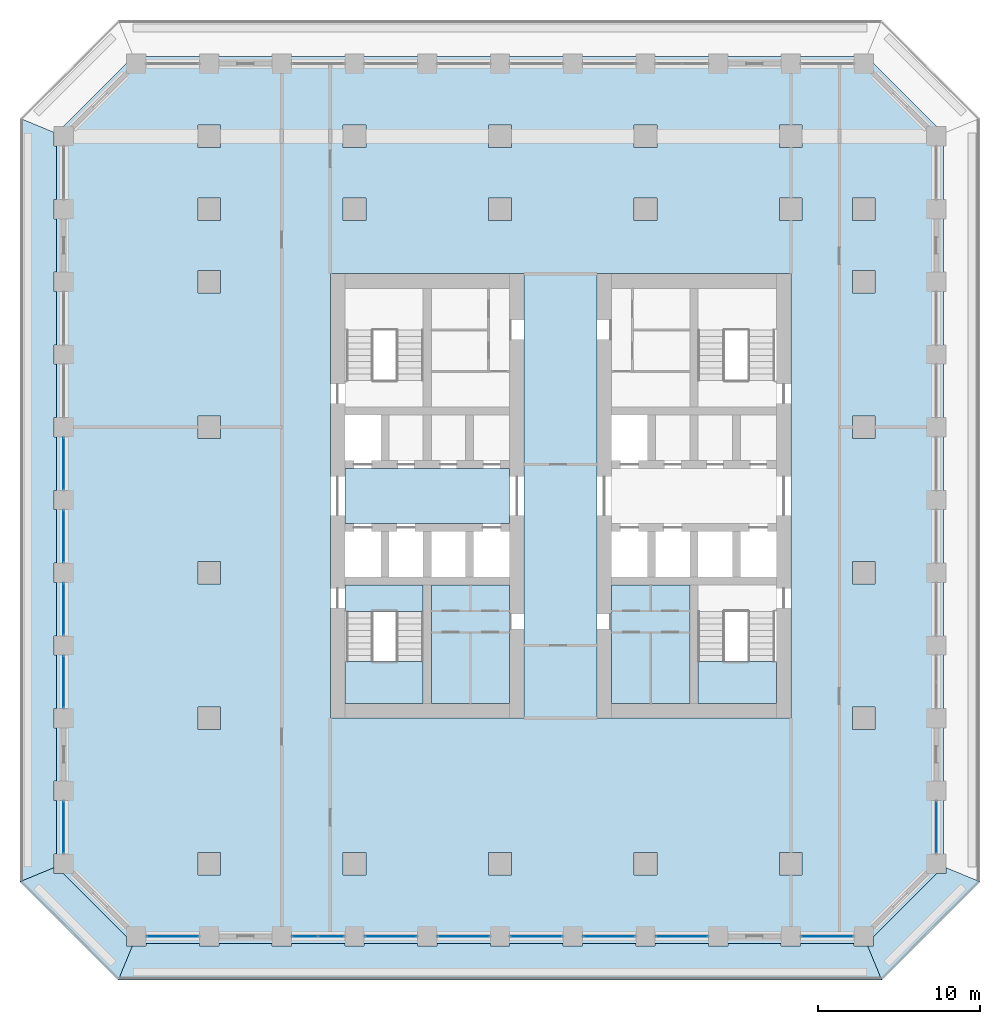
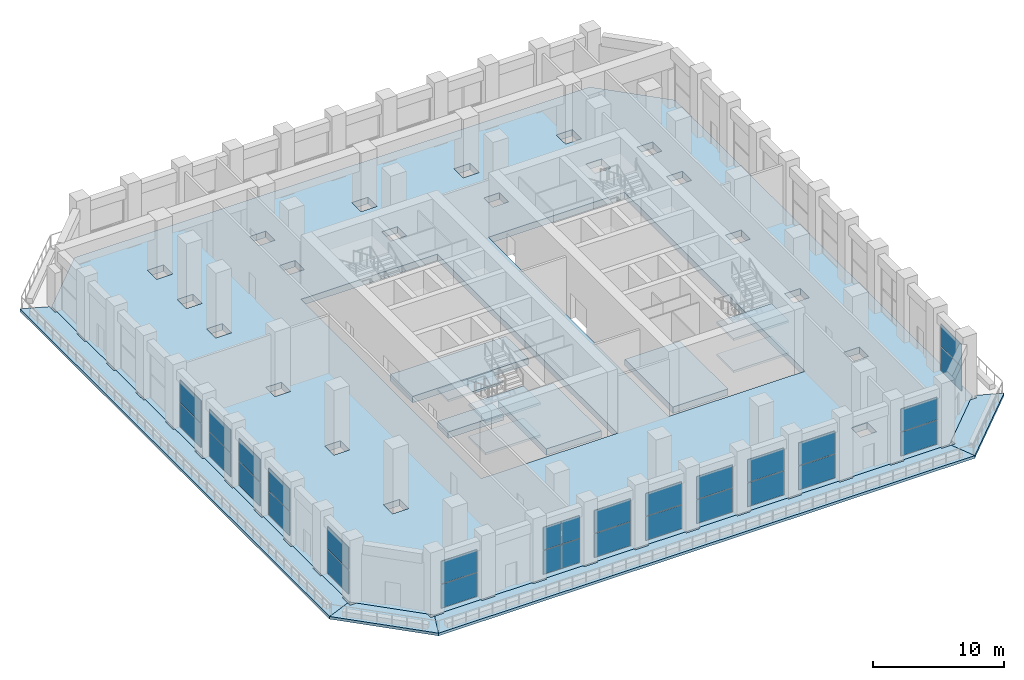
# One storey, part 10 of 24: 30 plates, 14 slabs, 16 elements without a shape of their own.
"""IFC4 building model written with IfcOpenShell, lengths in metres."""

from ifc_helpers import new_model, si_unit, direction, frame, origin, origin_2d, place, context, subcontext, project, spatial, polyline, rectangle, outline, extrude, material, layer, layer_set, type_object, element, aggregate, save


model = new_model("IFC4")

# Units and contexts
model_context = context("Model", 3, precision=1e-05, world=origin(), true_north=direction((0.0, 1.0)))
body_context = subcontext(model_context, "Body", "Model", "MODEL_VIEW")
ifc_project = project(units=[si_unit("LENGTHUNIT", "METRE"), si_unit("AREAUNIT", "SQUARE_METRE"), si_unit("VOLUMEUNIT", "CUBIC_METRE"), si_unit("PLANEANGLEUNIT", "RADIAN"), si_unit("MASSUNIT", "GRAM", prefix="KILO")], contexts=[model_context])

# Site, building, storey
site_placement = place(None, origin())
site = spatial("IfcSite", under=ifc_project, at=site_placement, CompositionType="ELEMENT")
building_placement = place(site_placement, origin())
building = spatial("IfcBuilding", under=site, at=building_placement, Name="Corbel Stack Research Tower", CompositionType="ELEMENT")
storey_placement = place(building_placement, frame((0.0, 0.0, 145.39990234375)))
storey = spatial("IfcBuildingStorey", under=building, at=storey_placement, Name="L33", CompositionType="ELEMENT", Elevation=145.39990234375)

# Curtain wall, plates
ifc_material_1 = material(Name="Aluminium frame, clear glass", Category="aluminium")
curtain_wall_type = type_object("IfcCurtainWallType", Name="Amenity floor curtain wall CW2", PredefinedType="NOTDEFINED", material=ifc_material_1)
curtain_wall_1_placement = place(storey_placement, origin())
curtain_wall_1 = element("IfcCurtainWall", 1, at=curtain_wall_1_placement, inside=storey, type_object=curtain_wall_type, Name="Curtain wall CW2 L33 S01", PredefinedType="NOTDEFINED")
ifc_material_2 = material(Name="Clear glass", Category="glass")
ifc_layer_1 = layer(ifc_material_2, 0.028076171875)
ifc_layer_set_1 = layer_set([ifc_layer_1], Name="Clear glass")
plate_type = type_object("IfcPlateType", Name="Clear glazing 28", PredefinedType="CURTAIN_PANEL", material=ifc_layer_set_1)
plate_1_placement = place(storey_placement, frame((-20.25, -22.5, 0.06005859375), z_axis=(0.0, 0.0, 1.0), x_axis=(1.0, 0.0, 0.0)))
plate_1 = element("IfcPlate", 2, at=plate_1_placement, type_object=plate_type, Name="CW2 L33 S01 panel 1.1", PredefinedType="CURTAIN_PANEL", context=body_context, shape_type="SweptSolid", body=[
    extrude(rectangle(XDim=3.179931640625, YDim=0.028076171875, at=origin_2d()), origin(), (0.0, 0.0, 1.0), 2.2099609375),
])
plate_2_placement = place(storey_placement, frame((-20.25, -22.5, 2.330078125), z_axis=(0.0, 0.0, 1.0), x_axis=(1.0, 0.0, 0.0)))
plate_2 = element("IfcPlate", 3, at=plate_2_placement, type_object=plate_type, Name="CW2 L33 S01 panel 1.2", PredefinedType="CURTAIN_PANEL", context=body_context, shape_type="SweptSolid", body=[
    extrude(rectangle(XDim=3.179931640625, YDim=0.028076171875, at=origin_2d()), origin(), (0.0, 0.0, 1.0), 2.110107421875),
])
aggregate(curtain_wall_1, [plate_1, plate_2])

curtain_wall_2_placement = place(storey_placement, origin())
curtain_wall_2 = element("IfcCurtainWall", 4, at=curtain_wall_2_placement, inside=storey, type_object=curtain_wall_type, Name="Curtain wall CW2 L33 S03", PredefinedType="NOTDEFINED")
plate_3_placement = place(storey_placement, frame((-12.06005859375, -22.5, 0.06005859375), z_axis=(0.0, 0.0, 1.0), x_axis=(1.0, 0.0, 0.0)))
plate_3 = element("IfcPlate", 5, at=plate_3_placement, type_object=plate_type, Name="CW2 L33 S03 panel 1.1", PredefinedType="CURTAIN_PANEL", context=body_context, shape_type="SweptSolid", body=[
    extrude(rectangle(XDim=1.56005859375, YDim=0.028076171875, at=origin_2d()), origin(), (0.0, 0.0, 1.0), 2.2099609375),
])
plate_4_placement = place(storey_placement, frame((-12.06005859375, -22.5, 2.330078125), z_axis=(0.0, 0.0, 1.0), x_axis=(1.0, 0.0, 0.0)))
plate_4 = element("IfcPlate", 6, at=plate_4_placement, type_object=plate_type, Name="CW2 L33 S03 panel 1.2", PredefinedType="CURTAIN_PANEL", context=body_context, shape_type="SweptSolid", body=[
    extrude(rectangle(XDim=1.56005859375, YDim=0.028076171875, at=origin_2d()), origin(), (0.0, 0.0, 1.0), 2.110107421875),
])
plate_5_placement = place(storey_placement, frame((-10.43994140625, -22.5, 0.06005859375), z_axis=(0.0, 0.0, 1.0), x_axis=(1.0, 0.0, 0.0)))
plate_5 = element("IfcPlate", 7, at=plate_5_placement, type_object=plate_type, Name="CW2 L33 S03 panel 2.1", PredefinedType="CURTAIN_PANEL", context=body_context, shape_type="SweptSolid", body=[
    extrude(rectangle(XDim=1.56005859375, YDim=0.028076171875, at=origin_2d()), origin(), (0.0, 0.0, 1.0), 2.2099609375),
])
plate_6_placement = place(storey_placement, frame((-10.43994140625, -22.5, 2.330078125), z_axis=(0.0, 0.0, 1.0), x_axis=(1.0, 0.0, 0.0)))
plate_6 = element("IfcPlate", 8, at=plate_6_placement, type_object=plate_type, Name="CW2 L33 S03 panel 2.2", PredefinedType="CURTAIN_PANEL", context=body_context, shape_type="SweptSolid", body=[
    extrude(rectangle(XDim=1.56005859375, YDim=0.028076171875, at=origin_2d()), origin(), (0.0, 0.0, 1.0), 2.110107421875),
])
aggregate(curtain_wall_2, [plate_3, plate_4, plate_5, plate_6])

curtain_wall_3_placement = place(storey_placement, origin())
curtain_wall_3 = element("IfcCurtainWall", 9, at=curtain_wall_3_placement, inside=storey, type_object=curtain_wall_type, Name="Curtain wall CW2 L33 S04", PredefinedType="NOTDEFINED")
plate_7_placement = place(storey_placement, frame((-6.75, -22.5, 0.06005859375), z_axis=(0.0, 0.0, 1.0), x_axis=(1.0, 0.0, 0.0)))
plate_7 = element("IfcPlate", 10, at=plate_7_placement, type_object=plate_type, Name="CW2 L33 S04 panel 1.1", PredefinedType="CURTAIN_PANEL", context=body_context, shape_type="SweptSolid", body=[
    extrude(rectangle(XDim=3.179931640625, YDim=0.028076171875, at=origin_2d()), origin(), (0.0, 0.0, 1.0), 2.2099609375),
])
plate_8_placement = place(storey_placement, frame((-6.75, -22.5, 2.330078125), z_axis=(0.0, 0.0, 1.0), x_axis=(1.0, 0.0, 0.0)))
plate_8 = element("IfcPlate", 11, at=plate_8_placement, type_object=plate_type, Name="CW2 L33 S04 panel 1.2", PredefinedType="CURTAIN_PANEL", context=body_context, shape_type="SweptSolid", body=[
    extrude(rectangle(XDim=3.179931640625, YDim=0.028076171875, at=origin_2d()), origin(), (0.0, 0.0, 1.0), 2.110107421875),
])
aggregate(curtain_wall_3, [plate_7, plate_8])

curtain_wall_4_placement = place(storey_placement, origin())
curtain_wall_4 = element("IfcCurtainWall", 12, at=curtain_wall_4_placement, inside=storey, type_object=curtain_wall_type, Name="Curtain wall CW2 L33 S05", PredefinedType="NOTDEFINED")
plate_9_placement = place(storey_placement, frame((-2.25, -22.5, 0.06005859375), z_axis=(0.0, 0.0, 1.0), x_axis=(1.0, 0.0, 0.0)))
plate_9 = element("IfcPlate", 13, at=plate_9_placement, type_object=plate_type, Name="CW2 L33 S05 panel 1.1", PredefinedType="CURTAIN_PANEL", context=body_context, shape_type="SweptSolid", body=[
    extrude(rectangle(XDim=3.179931640625, YDim=0.028076171875, at=origin_2d()), origin(), (0.0, 0.0, 1.0), 2.2099609375),
])
plate_10_placement = place(storey_placement, frame((-2.25, -22.5, 2.330078125), z_axis=(0.0, 0.0, 1.0), x_axis=(1.0, 0.0, 0.0)))
plate_10 = element("IfcPlate", 14, at=plate_10_placement, type_object=plate_type, Name="CW2 L33 S05 panel 1.2", PredefinedType="CURTAIN_PANEL", context=body_context, shape_type="SweptSolid", body=[
    extrude(rectangle(XDim=3.179931640625, YDim=0.028076171875, at=origin_2d()), origin(), (0.0, 0.0, 1.0), 2.110107421875),
])
aggregate(curtain_wall_4, [plate_9, plate_10])

curtain_wall_5_placement = place(storey_placement, origin())
curtain_wall_5 = element("IfcCurtainWall", 15, at=curtain_wall_5_placement, inside=storey, type_object=curtain_wall_type, Name="Curtain wall CW2 L33 S06", PredefinedType="NOTDEFINED")
plate_11_placement = place(storey_placement, frame((2.25, -22.5, 0.06005859375), z_axis=(0.0, 0.0, 1.0), x_axis=(1.0, 0.0, 0.0)))
plate_11 = element("IfcPlate", 16, at=plate_11_placement, type_object=plate_type, Name="CW2 L33 S06 panel 1.1", PredefinedType="CURTAIN_PANEL", context=body_context, shape_type="SweptSolid", body=[
    extrude(rectangle(XDim=3.179931640625, YDim=0.028076171875, at=origin_2d()), origin(), (0.0, 0.0, 1.0), 2.2099609375),
])
plate_12_placement = place(storey_placement, frame((2.25, -22.5, 2.330078125), z_axis=(0.0, 0.0, 1.0), x_axis=(1.0, 0.0, 0.0)))
plate_12 = element("IfcPlate", 17, at=plate_12_placement, type_object=plate_type, Name="CW2 L33 S06 panel 1.2", PredefinedType="CURTAIN_PANEL", context=body_context, shape_type="SweptSolid", body=[
    extrude(rectangle(XDim=3.179931640625, YDim=0.028076171875, at=origin_2d()), origin(), (0.0, 0.0, 1.0), 2.110107421875),
])
aggregate(curtain_wall_5, [plate_11, plate_12])

curtain_wall_6_placement = place(storey_placement, origin())
curtain_wall_6 = element("IfcCurtainWall", 18, at=curtain_wall_6_placement, inside=storey, type_object=curtain_wall_type, Name="Curtain wall CW2 L33 S07", PredefinedType="NOTDEFINED")
plate_13_placement = place(storey_placement, frame((6.75, -22.5, 0.06005859375), z_axis=(0.0, 0.0, 1.0), x_axis=(1.0, 0.0, 0.0)))
plate_13 = element("IfcPlate", 19, at=plate_13_placement, type_object=plate_type, Name="CW2 L33 S07 panel 1.1", PredefinedType="CURTAIN_PANEL", context=body_context, shape_type="SweptSolid", body=[
    extrude(rectangle(XDim=3.179931640625, YDim=0.028076171875, at=origin_2d()), origin(), (0.0, 0.0, 1.0), 2.2099609375),
])
plate_14_placement = place(storey_placement, frame((6.75, -22.5, 2.330078125), z_axis=(0.0, 0.0, 1.0), x_axis=(1.0, 0.0, 0.0)))
plate_14 = element("IfcPlate", 20, at=plate_14_placement, type_object=plate_type, Name="CW2 L33 S07 panel 1.2", PredefinedType="CURTAIN_PANEL", context=body_context, shape_type="SweptSolid", body=[
    extrude(rectangle(XDim=3.179931640625, YDim=0.028076171875, at=origin_2d()), origin(), (0.0, 0.0, 1.0), 2.110107421875),
])
aggregate(curtain_wall_6, [plate_13, plate_14])

curtain_wall_7_placement = place(storey_placement, origin())
curtain_wall_7 = element("IfcCurtainWall", 21, at=curtain_wall_7_placement, inside=storey, type_object=curtain_wall_type, Name="Curtain wall CW2 L33 S08", PredefinedType="NOTDEFINED")
plate_15_placement = place(storey_placement, frame((11.25, -22.5, 0.06005859375), z_axis=(0.0, 0.0, 1.0), x_axis=(1.0, 0.0, 0.0)))
plate_15 = element("IfcPlate", 22, at=plate_15_placement, type_object=plate_type, Name="CW2 L33 S08 panel 1.1", PredefinedType="CURTAIN_PANEL", context=body_context, shape_type="SweptSolid", body=[
    extrude(rectangle(XDim=3.179931640625, YDim=0.028076171875, at=origin_2d()), origin(), (0.0, 0.0, 1.0), 2.2099609375),
])
plate_16_placement = place(storey_placement, frame((11.25, -22.5, 2.330078125), z_axis=(0.0, 0.0, 1.0), x_axis=(1.0, 0.0, 0.0)))
plate_16 = element("IfcPlate", 23, at=plate_16_placement, type_object=plate_type, Name="CW2 L33 S08 panel 1.2", PredefinedType="CURTAIN_PANEL", context=body_context, shape_type="SweptSolid", body=[
    extrude(rectangle(XDim=3.179931640625, YDim=0.028076171875, at=origin_2d()), origin(), (0.0, 0.0, 1.0), 2.110107421875),
])
aggregate(curtain_wall_7, [plate_15, plate_16])

curtain_wall_8_placement = place(storey_placement, origin())
curtain_wall_8 = element("IfcCurtainWall", 24, at=curtain_wall_8_placement, inside=storey, type_object=curtain_wall_type, Name="Curtain wall CW2 L33 S10", PredefinedType="NOTDEFINED")
plate_17_placement = place(storey_placement, frame((20.25, -22.5, 0.06005859375), z_axis=(0.0, 0.0, 1.0), x_axis=(1.0, 0.0, 0.0)))
plate_17 = element("IfcPlate", 25, at=plate_17_placement, type_object=plate_type, Name="CW2 L33 S10 panel 1.1", PredefinedType="CURTAIN_PANEL", context=body_context, shape_type="SweptSolid", body=[
    extrude(rectangle(XDim=3.179931640625, YDim=0.028076171875, at=origin_2d()), origin(), (0.0, 0.0, 1.0), 2.2099609375),
])
plate_18_placement = place(storey_placement, frame((20.25, -22.5, 2.330078125), z_axis=(0.0, 0.0, 1.0), x_axis=(1.0, 0.0, 0.0)))
plate_18 = element("IfcPlate", 26, at=plate_18_placement, type_object=plate_type, Name="CW2 L33 S10 panel 1.2", PredefinedType="CURTAIN_PANEL", context=body_context, shape_type="SweptSolid", body=[
    extrude(rectangle(XDim=3.179931640625, YDim=0.028076171875, at=origin_2d()), origin(), (0.0, 0.0, 1.0), 2.110107421875),
])
aggregate(curtain_wall_8, [plate_17, plate_18])

curtain_wall_9_placement = place(storey_placement, origin())
curtain_wall_9 = element("IfcCurtainWall", 27, at=curtain_wall_9_placement, inside=storey, type_object=curtain_wall_type, Name="Curtain wall CW2 L33 E01", PredefinedType="NOTDEFINED")
plate_19_placement = place(storey_placement, frame((27.0, -15.75, 0.06005859375), z_axis=(0.0, 0.0, 1.0), x_axis=(0.0, 1.0, 0.0)))
plate_19 = element("IfcPlate", 28, at=plate_19_placement, type_object=plate_type, Name="CW2 L33 E01 panel 1.1", PredefinedType="CURTAIN_PANEL", context=body_context, shape_type="SweptSolid", body=[
    extrude(rectangle(XDim=3.179931640625, YDim=0.028076171875, at=origin_2d()), origin(), (0.0, 0.0, 1.0), 2.2099609375),
])
plate_20_placement = place(storey_placement, frame((27.0, -15.75, 2.330078125), z_axis=(0.0, 0.0, 1.0), x_axis=(0.0, 1.0, 0.0)))
plate_20 = element("IfcPlate", 29, at=plate_20_placement, type_object=plate_type, Name="CW2 L33 E01 panel 1.2", PredefinedType="CURTAIN_PANEL", context=body_context, shape_type="SweptSolid", body=[
    extrude(rectangle(XDim=3.179931640625, YDim=0.028076171875, at=origin_2d()), origin(), (0.0, 0.0, 1.0), 2.110107421875),
])
aggregate(curtain_wall_9, [plate_19, plate_20])

curtain_wall_10_placement = place(storey_placement, origin())
curtain_wall_10 = element("IfcCurtainWall", 30, at=curtain_wall_10_placement, inside=storey, type_object=curtain_wall_type, Name="Curtain wall CW2 L33 W05", PredefinedType="NOTDEFINED")
plate_21_placement = place(storey_placement, frame((-27.0, 6.75, 0.06005859375), z_axis=(0.0, 0.0, 1.0), x_axis=(0.0, -1.0, 0.0)))
plate_21 = element("IfcPlate", 31, at=plate_21_placement, type_object=plate_type, Name="CW2 L33 W05 panel 1.1", PredefinedType="CURTAIN_PANEL", context=body_context, shape_type="SweptSolid", body=[
    extrude(rectangle(XDim=3.179931640625, YDim=0.028076171875, at=origin_2d()), origin(), (0.0, 0.0, 1.0), 2.2099609375),
])
plate_22_placement = place(storey_placement, frame((-27.0, 6.75, 2.330078125), z_axis=(0.0, 0.0, 1.0), x_axis=(0.0, -1.0, 0.0)))
plate_22 = element("IfcPlate", 32, at=plate_22_placement, type_object=plate_type, Name="CW2 L33 W05 panel 1.2", PredefinedType="CURTAIN_PANEL", context=body_context, shape_type="SweptSolid", body=[
    extrude(rectangle(XDim=3.179931640625, YDim=0.028076171875, at=origin_2d()), origin(), (0.0, 0.0, 1.0), 2.110107421875),
])
aggregate(curtain_wall_10, [plate_21, plate_22])

curtain_wall_11_placement = place(storey_placement, origin())
curtain_wall_11 = element("IfcCurtainWall", 33, at=curtain_wall_11_placement, inside=storey, type_object=curtain_wall_type, Name="Curtain wall CW2 L33 W06", PredefinedType="NOTDEFINED")
plate_23_placement = place(storey_placement, frame((-27.0, 2.25, 0.06005859375), z_axis=(0.0, 0.0, 1.0), x_axis=(0.0, -1.0, 0.0)))
plate_23 = element("IfcPlate", 34, at=plate_23_placement, type_object=plate_type, Name="CW2 L33 W06 panel 1.1", PredefinedType="CURTAIN_PANEL", context=body_context, shape_type="SweptSolid", body=[
    extrude(rectangle(XDim=3.179931640625, YDim=0.028076171875, at=origin_2d()), origin(), (0.0, 0.0, 1.0), 2.2099609375),
])
plate_24_placement = place(storey_placement, frame((-27.0, 2.25, 2.330078125), z_axis=(0.0, 0.0, 1.0), x_axis=(0.0, -1.0, 0.0)))
plate_24 = element("IfcPlate", 35, at=plate_24_placement, type_object=plate_type, Name="CW2 L33 W06 panel 1.2", PredefinedType="CURTAIN_PANEL", context=body_context, shape_type="SweptSolid", body=[
    extrude(rectangle(XDim=3.179931640625, YDim=0.028076171875, at=origin_2d()), origin(), (0.0, 0.0, 1.0), 2.110107421875),
])
aggregate(curtain_wall_11, [plate_23, plate_24])

curtain_wall_12_placement = place(storey_placement, origin())
curtain_wall_12 = element("IfcCurtainWall", 36, at=curtain_wall_12_placement, inside=storey, type_object=curtain_wall_type, Name="Curtain wall CW2 L33 W07", PredefinedType="NOTDEFINED")
plate_25_placement = place(storey_placement, frame((-27.0, -2.25, 0.06005859375), z_axis=(0.0, 0.0, 1.0), x_axis=(0.0, -1.0, 0.0)))
plate_25 = element("IfcPlate", 37, at=plate_25_placement, type_object=plate_type, Name="CW2 L33 W07 panel 1.1", PredefinedType="CURTAIN_PANEL", context=body_context, shape_type="SweptSolid", body=[
    extrude(rectangle(XDim=3.179931640625, YDim=0.028076171875, at=origin_2d()), origin(), (0.0, 0.0, 1.0), 2.2099609375),
])
plate_26_placement = place(storey_placement, frame((-27.0, -2.25, 2.330078125), z_axis=(0.0, 0.0, 1.0), x_axis=(0.0, -1.0, 0.0)))
plate_26 = element("IfcPlate", 38, at=plate_26_placement, type_object=plate_type, Name="CW2 L33 W07 panel 1.2", PredefinedType="CURTAIN_PANEL", context=body_context, shape_type="SweptSolid", body=[
    extrude(rectangle(XDim=3.179931640625, YDim=0.028076171875, at=origin_2d()), origin(), (0.0, 0.0, 1.0), 2.110107421875),
])
aggregate(curtain_wall_12, [plate_25, plate_26])

curtain_wall_13_placement = place(storey_placement, origin())
curtain_wall_13 = element("IfcCurtainWall", 39, at=curtain_wall_13_placement, inside=storey, type_object=curtain_wall_type, Name="Curtain wall CW2 L33 W08", PredefinedType="NOTDEFINED")
plate_27_placement = place(storey_placement, frame((-27.0, -6.75, 0.06005859375), z_axis=(0.0, 0.0, 1.0), x_axis=(0.0, -1.0, 0.0)))
plate_27 = element("IfcPlate", 40, at=plate_27_placement, type_object=plate_type, Name="CW2 L33 W08 panel 1.1", PredefinedType="CURTAIN_PANEL", context=body_context, shape_type="SweptSolid", body=[
    extrude(rectangle(XDim=3.179931640625, YDim=0.028076171875, at=origin_2d()), origin(), (0.0, 0.0, 1.0), 2.2099609375),
])
plate_28_placement = place(storey_placement, frame((-27.0, -6.75, 2.330078125), z_axis=(0.0, 0.0, 1.0), x_axis=(0.0, -1.0, 0.0)))
plate_28 = element("IfcPlate", 41, at=plate_28_placement, type_object=plate_type, Name="CW2 L33 W08 panel 1.2", PredefinedType="CURTAIN_PANEL", context=body_context, shape_type="SweptSolid", body=[
    extrude(rectangle(XDim=3.179931640625, YDim=0.028076171875, at=origin_2d()), origin(), (0.0, 0.0, 1.0), 2.110107421875),
])
aggregate(curtain_wall_13, [plate_27, plate_28])

curtain_wall_14_placement = place(storey_placement, origin())
curtain_wall_14 = element("IfcCurtainWall", 42, at=curtain_wall_14_placement, inside=storey, type_object=curtain_wall_type, Name="Curtain wall CW2 L33 W10", PredefinedType="NOTDEFINED")
plate_29_placement = place(storey_placement, frame((-27.0, -15.75, 0.06005859375), z_axis=(0.0, 0.0, 1.0), x_axis=(0.0, -1.0, 0.0)))
plate_29 = element("IfcPlate", 43, at=plate_29_placement, type_object=plate_type, Name="CW2 L33 W10 panel 1.1", PredefinedType="CURTAIN_PANEL", context=body_context, shape_type="SweptSolid", body=[
    extrude(rectangle(XDim=3.179931640625, YDim=0.028076171875, at=origin_2d()), origin(), (0.0, 0.0, 1.0), 2.2099609375),
])
plate_30_placement = place(storey_placement, frame((-27.0, -15.75, 2.330078125), z_axis=(0.0, 0.0, 1.0), x_axis=(0.0, -1.0, 0.0)))
plate_30 = element("IfcPlate", 44, at=plate_30_placement, type_object=plate_type, Name="CW2 L33 W10 panel 1.2", PredefinedType="CURTAIN_PANEL", context=body_context, shape_type="SweptSolid", body=[
    extrude(rectangle(XDim=3.179931640625, YDim=0.028076171875, at=origin_2d()), origin(), (0.0, 0.0, 1.0), 2.110107421875),
])
aggregate(curtain_wall_14, [plate_29, plate_30])

# Slabs
ifc_material_3 = material(Name="Concrete C45/55", Category="concrete")
ifc_layer_2 = layer(ifc_material_3, 0.25)
ifc_layer_set_2 = layer_set([ifc_layer_2], Name="Concrete C45/55")
slab_type_1 = type_object("IfcSlabType", Name="PT balcony slab 250 C45/55", PredefinedType="FLOOR", material=ifc_layer_set_2)
slab_1_placement = place(storey_placement, frame((0.0, 0.0, -0.25)))
element("IfcSlab", 45, at=slab_1_placement, inside=storey, type_object=slab_type_1, Name="Loggia slab L33 S", PredefinedType="FLOOR", context=body_context, shape_type="SweptSolid", body=[
    extrude(outline(polyline([(22.74853515625, -23.10009765625), (21.89990234375, -23.10009765625), (21.89990234375, -22.949951171875), (18.60009765625, -22.949951171875), (18.60009765625, -23.10009765625), (17.39990234375, -23.10009765625), (17.39990234375, -22.949951171875), (14.10009765625, -22.949951171875), (14.10009765625, -23.10009765625), (12.89990234375, -23.10009765625), (12.89990234375, -22.949951171875), (9.60009765625, -22.949951171875), (9.60009765625, -23.10009765625), (8.39990234375, -23.10009765625), (8.39990234375, -22.949951171875), (5.10009765625, -22.949951171875), (5.10009765625, -23.10009765625), (3.89990234375, -23.10009765625), (3.89990234375, -22.949951171875), (0.60009765625, -22.949951171875), (0.60009765625, -23.10009765625), (-0.60009765625, -23.10009765625), (-0.60009765625, -22.949951171875), (-3.89990234375, -22.949951171875), (-3.89990234375, -23.10009765625), (-5.10009765625, -23.10009765625), (-5.10009765625, -22.949951171875), (-8.39990234375, -22.949951171875), (-8.39990234375, -23.10009765625), (-9.60009765625, -23.10009765625), (-9.60009765625, -22.949951171875), (-12.89990234375, -22.949951171875), (-12.89990234375, -23.10009765625), (-14.10009765625, -23.10009765625), (-14.10009765625, -22.949951171875), (-17.39990234375, -22.949951171875), (-17.39990234375, -23.10009765625), (-18.60009765625, -23.10009765625), (-18.60009765625, -22.949951171875), (-21.89990234375, -22.949951171875), (-21.89990234375, -23.10009765625), (-22.74853515625, -23.10009765625), (-23.618408203125, -25.199951171875), (23.618408203125, -25.199951171875), (22.74853515625, -23.10009765625)])), origin(), (0.0, 0.0, 1.0), 0.25),
])
slab_2_placement = place(storey_placement, frame((0.0, 0.0, -0.25)))
element("IfcSlab", 46, at=slab_2_placement, inside=storey, type_object=slab_type_1, Name="Loggia slab L33 SE", PredefinedType="FLOOR", context=body_context, shape_type="SweptSolid", body=[
    extrude(outline(polyline([(27.60009765625, -18.24853515625), (27.60009765625, -18.60009765625), (27.036376953125, -18.60009765625), (23.10009765625, -22.536376953125), (23.10009765625, -23.10009765625), (22.74853515625, -23.10009765625), (23.618408203125, -25.199951171875), (29.699951171875, -19.118408203125), (27.60009765625, -18.24853515625)])), origin(), (0.0, 0.0, 1.0), 0.25),
])
slab_3_placement = place(storey_placement, frame((0.0, 0.0, -0.25)))
element("IfcSlab", 47, at=slab_3_placement, inside=storey, type_object=slab_type_1, Name="Loggia slab L33 W", PredefinedType="FLOOR", context=body_context, shape_type="SweptSolid", body=[
    extrude(outline(polyline([(-27.60009765625, -18.24853515625), (-27.60009765625, -17.39990234375), (-27.449951171875, -17.39990234375), (-27.449951171875, -14.10009765625), (-27.60009765625, -14.10009765625), (-27.60009765625, -12.89990234375), (-27.449951171875, -12.89990234375), (-27.449951171875, -9.60009765625), (-27.60009765625, -9.60009765625), (-27.60009765625, -8.39990234375), (-27.449951171875, -8.39990234375), (-27.449951171875, -5.10009765625), (-27.60009765625, -5.10009765625), (-27.60009765625, -3.89990234375), (-27.449951171875, -3.89990234375), (-27.449951171875, -0.60009765625), (-27.60009765625, -0.60009765625), (-27.60009765625, 0.60009765625), (-27.449951171875, 0.60009765625), (-27.449951171875, 3.89990234375), (-27.60009765625, 3.89990234375), (-27.60009765625, 5.10009765625), (-27.449951171875, 5.10009765625), (-27.449951171875, 8.39990234375), (-27.60009765625, 8.39990234375), (-27.60009765625, 9.60009765625), (-27.449951171875, 9.60009765625), (-27.449951171875, 12.89990234375), (-27.60009765625, 12.89990234375), (-27.60009765625, 14.10009765625), (-27.449951171875, 14.10009765625), (-27.449951171875, 17.39990234375), (-27.60009765625, 17.39990234375), (-27.60009765625, 18.60009765625), (-27.449951171875, 18.60009765625), (-27.449951171875, 21.89990234375), (-27.60009765625, 21.89990234375), (-27.60009765625, 23.10009765625), (-27.449951171875, 23.10009765625), (-27.449951171875, 26.39990234375), (-27.60009765625, 26.39990234375), (-27.60009765625, 27.24853515625), (-29.699951171875, 28.118408203125), (-29.699951171875, -19.118408203125), (-27.60009765625, -18.24853515625)])), origin(), (0.0, 0.0, 1.0), 0.25),
])
slab_4_placement = place(storey_placement, frame((0.0, 0.0, -0.25)))
element("IfcSlab", 48, at=slab_4_placement, inside=storey, type_object=slab_type_1, Name="Loggia slab L33 SW", PredefinedType="FLOOR", context=body_context, shape_type="SweptSolid", body=[
    extrude(outline(polyline([(-22.74853515625, -23.10009765625), (-23.10009765625, -23.10009765625), (-23.10009765625, -22.536376953125), (-27.036376953125, -18.60009765625), (-27.60009765625, -18.60009765625), (-27.60009765625, -18.24853515625), (-29.699951171875, -19.118408203125), (-23.618408203125, -25.199951171875), (-22.74853515625, -23.10009765625)])), origin(), (0.0, 0.0, 1.0), 0.25),
])
ifc_material_4 = material(Name="Concrete C45/55", Category="concrete")
ifc_layer_3 = layer(ifc_material_4, 0.60009765625)
ifc_layer_set_3 = layer_set([ifc_layer_3], Name="Concrete C45/55")
slab_type_2 = type_object("IfcSlabType", Name="PT-600", PredefinedType="FLOOR", material=ifc_layer_set_3)
slab_5_placement = place(storey_placement, frame((0.0, 0.0, -0.599853515625)))
element("IfcSlab", 49, at=slab_5_placement, inside=storey, type_object=slab_type_2, Name="Floor slab L33", PredefinedType="FLOOR", context=body_context, shape_type="SweptSolid", body=[
    extrude(outline(polyline([(-22.686279296875, -22.949951171875), (22.686279296875, -22.949951171875), (27.449951171875, -18.186279296875), (27.449951171875, 27.186279296875), (22.686279296875, 31.949951171875), (-22.686279296875, 31.949951171875), (-27.449951171875, 27.186279296875), (-27.449951171875, -18.186279296875), (-22.686279296875, -22.949951171875)]), holes=[polyline([(21.800048828125, 21.800048828125), (21.800048828125, 23.199951171875), (23.199951171875, 23.199951171875), (23.199951171875, 21.800048828125), (21.800048828125, 21.800048828125)]), polyline([(23.199951171875, 17.300048828125), (21.800048828125, 17.300048828125), (21.800048828125, 18.699951171875), (23.199951171875, 18.699951171875), (23.199951171875, 17.300048828125)]), polyline([(21.800048828125, 8.300048828125), (21.800048828125, 9.699951171875), (23.199951171875, 9.699951171875), (23.199951171875, 8.300048828125), (21.800048828125, 8.300048828125)]), polyline([(23.199951171875, -0.699951171875), (21.800048828125, -0.699951171875), (21.800048828125, 0.699951171875), (23.199951171875, 0.699951171875), (23.199951171875, -0.699951171875)]), polyline([(21.800048828125, -9.699951171875), (21.800048828125, -8.300048828125), (23.199951171875, -8.300048828125), (23.199951171875, -9.699951171875), (21.800048828125, -9.699951171875)]), polyline([(17.300048828125, 26.300048828125), (17.300048828125, 27.699951171875), (18.699951171875, 27.699951171875), (18.699951171875, 26.300048828125), (17.300048828125, 26.300048828125)]), polyline([(17.300048828125, 21.800048828125), (17.300048828125, 23.199951171875), (18.699951171875, 23.199951171875), (18.699951171875, 21.800048828125), (17.300048828125, 21.800048828125)]), polyline([(17.300048828125, -18.699951171875), (17.300048828125, -17.300048828125), (18.699951171875, -17.300048828125), (18.699951171875, -18.699951171875), (17.300048828125, -18.699951171875)]), polyline([(6.0, -9.0), (6.0, 18.5), (18.0, 18.5), (18.0, -9.0), (6.0, -9.0)]), polyline([(8.300048828125, 26.300048828125), (8.300048828125, 27.699951171875), (9.699951171875, 27.699951171875), (9.699951171875, 26.300048828125), (8.300048828125, 26.300048828125)]), polyline([(8.300048828125, 21.800048828125), (8.300048828125, 23.199951171875), (9.699951171875, 23.199951171875), (9.699951171875, 21.800048828125), (8.300048828125, 21.800048828125)]), polyline([(9.699951171875, -18.699951171875), (8.300048828125, -18.699951171875), (8.300048828125, -17.300048828125), (9.699951171875, -17.300048828125), (9.699951171875, -18.699951171875)]), polyline([(-10.5, -9.0), (-10.5, 18.5), (1.5, 18.5), (1.5, -9.0), (-10.5, -9.0)]), polyline([(-0.699951171875, 26.300048828125), (-0.699951171875, 27.699951171875), (0.699951171875, 27.699951171875), (0.699951171875, 26.300048828125), (-0.699951171875, 26.300048828125)]), polyline([(-0.699951171875, 21.800048828125), (-0.699951171875, 23.199951171875), (0.699951171875, 23.199951171875), (0.699951171875, 21.800048828125), (-0.699951171875, 21.800048828125)]), polyline([(-0.699951171875, -18.699951171875), (-0.699951171875, -17.300048828125), (0.699951171875, -17.300048828125), (0.699951171875, -18.699951171875), (-0.699951171875, -18.699951171875)]), polyline([(-9.699951171875, 26.300048828125), (-9.699951171875, 27.699951171875), (-8.300048828125, 27.699951171875), (-8.300048828125, 26.300048828125), (-9.699951171875, 26.300048828125)]), polyline([(-9.699951171875, 21.800048828125), (-9.699951171875, 23.199951171875), (-8.300048828125, 23.199951171875), (-8.300048828125, 21.800048828125), (-9.699951171875, 21.800048828125)]), polyline([(-9.699951171875, -18.699951171875), (-9.699951171875, -17.300048828125), (-8.300048828125, -17.300048828125), (-8.300048828125, -18.699951171875), (-9.699951171875, -18.699951171875)]), polyline([(-18.699951171875, 26.300048828125), (-18.699951171875, 27.699951171875), (-17.300048828125, 27.699951171875), (-17.300048828125, 26.300048828125), (-18.699951171875, 26.300048828125)]), polyline([(-18.699951171875, 21.800048828125), (-18.699951171875, 23.199951171875), (-17.300048828125, 23.199951171875), (-17.300048828125, 21.800048828125), (-18.699951171875, 21.800048828125)]), polyline([(-18.699951171875, 17.300048828125), (-18.699951171875, 18.699951171875), (-17.300048828125, 18.699951171875), (-17.300048828125, 17.300048828125), (-18.699951171875, 17.300048828125)]), polyline([(-17.300048828125, 8.300048828125), (-18.699951171875, 8.300048828125), (-18.699951171875, 9.699951171875), (-17.300048828125, 9.699951171875), (-17.300048828125, 8.300048828125)]), polyline([(-18.699951171875, -0.699951171875), (-18.699951171875, 0.699951171875), (-17.300048828125, 0.699951171875), (-17.300048828125, -0.699951171875), (-18.699951171875, -0.699951171875)]), polyline([(-17.300048828125, -9.699951171875), (-18.699951171875, -9.699951171875), (-18.699951171875, -8.300048828125), (-17.300048828125, -8.300048828125), (-17.300048828125, -9.699951171875)]), polyline([(-17.300048828125, -18.699951171875), (-18.699951171875, -18.699951171875), (-18.699951171875, -17.300048828125), (-17.300048828125, -17.300048828125), (-17.300048828125, -18.699951171875)])]), origin(), (0.0, 0.0, 1.0), 0.599853515625),
])
slab_6_placement = place(storey_placement, frame((0.0, 0.0, -0.599853515625)))
element("IfcSlab", 50, at=slab_6_placement, inside=storey, type_object=slab_type_2, Name="West core floor L33", PredefinedType="FLOOR", context=body_context, shape_type="SweptSolid", body=[
    extrude(outline(polyline([(0.60009765625, 6.449951171875), (-9.60009765625, 6.449951171875), (-9.60009765625, 3.050048828125), (0.60009765625, 3.050048828125), (0.60009765625, 6.449951171875)])), origin(), (0.0, 0.0, 1.0), 0.599853515625),
])
slab_7_placement = place(storey_placement, frame((0.0, 0.0, -0.599853515625)))
element("IfcSlab", 51, at=slab_7_placement, inside=storey, type_object=slab_type_2, Name="West core floor L33", PredefinedType="FLOOR", context=body_context, shape_type="SweptSolid", body=[
    extrude(outline(polyline([(0.60009765625, -8.10009765625), (0.60009765625, -0.75), (-4.25, -0.75), (-4.25, -8.10009765625), (0.60009765625, -8.10009765625)])), origin(), (0.0, 0.0, 1.0), 0.599853515625),
])
slab_8_placement = place(storey_placement, frame((0.0, 0.0, -0.599853515625)))
element("IfcSlab", 52, at=slab_8_placement, inside=storey, type_object=slab_type_2, Name="East core floor L33", PredefinedType="FLOOR", context=body_context, shape_type="SweptSolid", body=[
    extrude(outline(polyline([(11.75, -0.75), (6.89990234375, -0.75), (6.89990234375, -8.10009765625), (11.75, -8.10009765625), (11.75, -0.75)])), origin(), (0.0, 0.0, 1.0), 0.599853515625),
])
slab_9_placement = place(storey_placement, frame((0.0, 0.0, -0.599853515625)))
element("IfcSlab", 53, at=slab_9_placement, inside=storey, type_object=slab_type_2, Name="Stair floor landing ST-W1", PredefinedType="FLOOR", context=body_context, shape_type="SweptSolid", body=[
    extrude(outline(polyline([(-9.60009765625, -2.39990234375), (-4.75, -2.39990234375), (-4.75, -0.75), (-9.60009765625, -0.75), (-9.60009765625, -2.39990234375)])), origin(), (0.0, 0.0, 1.0), 0.599853515625),
])

# Stair, slabs
ifc_material_5 = material(Name="Concrete C40/50", Category="concrete")
stair_type = type_object("IfcStairType", Name="Exit stair 36 risers, 388 going", PredefinedType="HALF_TURN_STAIR", material=ifc_material_5)
stair_1_placement = place(storey_placement, origin())
stair_1 = element("IfcStair", 54, at=stair_1_placement, inside=storey, type_object=stair_type, Name="L33 Exit stair ST-W1", PredefinedType="HALF_TURN_STAIR")
ifc_material_6 = material(Name="Concrete C40/50", Category="concrete")
ifc_layer_4 = layer(ifc_material_6, 0.199951171875)
ifc_layer_set_4 = layer_set([ifc_layer_4], Name="Concrete C40/50")
slab_type_3 = type_object("IfcSlabType", Name="Stair landing 200 C40/50", PredefinedType="LANDING", material=ifc_layer_set_4)
slab_10_placement = place(storey_placement, frame((0.0, 0.0, 1.300048828125)))
slab_10 = element("IfcSlab", 55, at=slab_10_placement, type_object=slab_type_3, Name="ST-W1 landing 1", PredefinedType="LANDING", context=body_context, shape_type="SweptSolid", body=[
    extrude(outline(polyline([(-9.60009765625, -8.10009765625), (-9.60009765625, -5.50390625), (-4.75, -5.50390625), (-4.75, -8.10009765625), (-9.60009765625, -8.10009765625)])), origin(), (0.0, 0.0, 1.0), 0.199951171875),
])
slab_11_placement = place(storey_placement, frame((0.0, 0.0, 2.800048828125)))
slab_11 = element("IfcSlab", 56, at=slab_11_placement, type_object=slab_type_3, Name="ST-W1 landing 2", PredefinedType="LANDING", context=body_context, shape_type="SweptSolid", body=[
    extrude(outline(polyline([(-9.60009765625, -2.39990234375), (-9.60009765625, -0.75), (-4.75, -0.75), (-4.75, -2.39990234375), (-9.60009765625, -2.39990234375)])), origin(), (0.0, 0.0, 1.0), 0.199951171875),
])
slab_12_placement = place(storey_placement, frame((0.0, 0.0, 4.300048828125)))
slab_12 = element("IfcSlab", 57, at=slab_12_placement, type_object=slab_type_3, Name="ST-W1 landing 3", PredefinedType="LANDING", context=body_context, shape_type="SweptSolid", body=[
    extrude(outline(polyline([(-9.60009765625, -8.10009765625), (-9.60009765625, -5.50390625), (-4.75, -5.50390625), (-4.75, -8.10009765625), (-9.60009765625, -8.10009765625)])), origin(), (0.0, 0.0, 1.0), 0.199951171875),
])
aggregate(stair_1, [slab_10, slab_11, slab_12])

stair_2_placement = place(storey_placement, origin())
stair_2 = element("IfcStair", 58, at=stair_2_placement, inside=storey, type_object=stair_type, Name="L33 Exit stair ST-E1", PredefinedType="HALF_TURN_STAIR")
slab_13_placement = place(storey_placement, frame((0.0, 0.0, 1.300048828125)))
slab_13 = element("IfcSlab", 59, at=slab_13_placement, type_object=slab_type_3, Name="ST-E1 landing 1", PredefinedType="LANDING", context=body_context, shape_type="SweptSolid", body=[
    extrude(outline(polyline([(12.25, -8.10009765625), (12.25, -5.50390625), (17.10009765625, -5.50390625), (17.10009765625, -8.10009765625), (12.25, -8.10009765625)])), origin(), (0.0, 0.0, 1.0), 0.199951171875),
])
slab_14_placement = place(storey_placement, frame((0.0, 0.0, 4.300048828125)))
slab_14 = element("IfcSlab", 60, at=slab_14_placement, type_object=slab_type_3, Name="ST-E1 landing 3", PredefinedType="LANDING", context=body_context, shape_type="SweptSolid", body=[
    extrude(outline(polyline([(12.25, -8.10009765625), (12.25, -5.50390625), (17.10009765625, -5.50390625), (17.10009765625, -8.10009765625), (12.25, -8.10009765625)])), origin(), (0.0, 0.0, 1.0), 0.199951171875),
])
aggregate(stair_2, [slab_13, slab_14])

save(model, "model.ifc")
